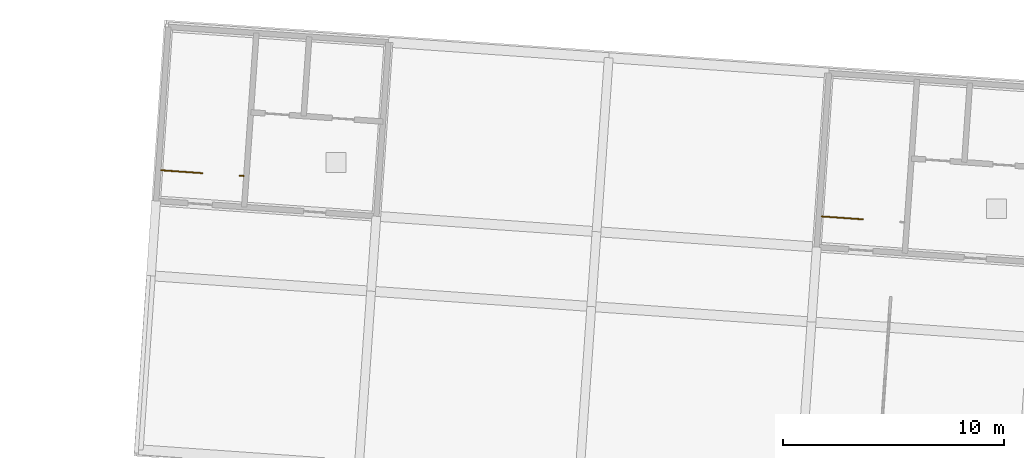
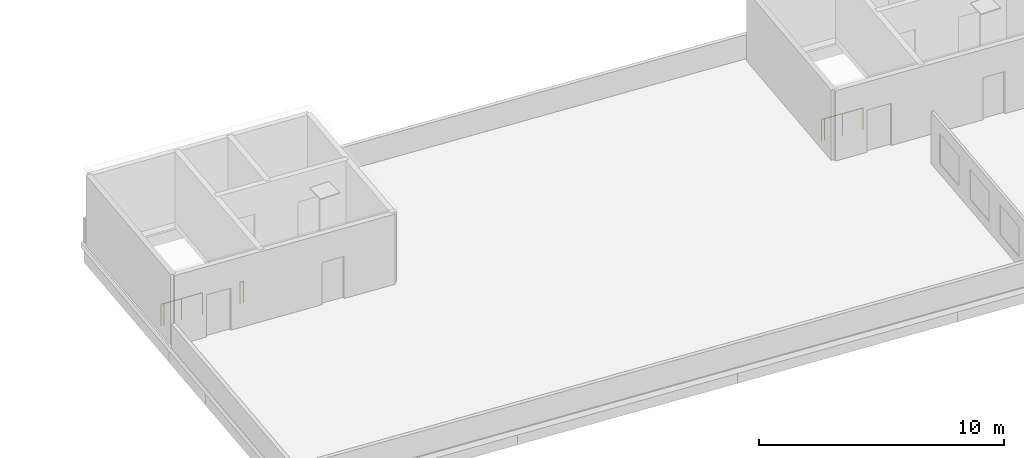
# One storey, part 109 of 110: 5 railings.
"""IFC4 building model written with IfcOpenShell, lengths in metres."""

from ifc_helpers import new_model, si_unit, direction, frame, origin, origin_2d, place, context, subcontext, project, spatial, circle, extrude, material, type_object, element, save


model = new_model("IFC4")

# Units and contexts
model_context = context("Model", 3, precision=1e-05, world=origin(), true_north=direction((0.0, 1.0)))
body_context = subcontext(model_context, "Body", "Model", "MODEL_VIEW")
ifc_project = project(units=[si_unit("LENGTHUNIT", "METRE"), si_unit("AREAUNIT", "SQUARE_METRE"), si_unit("VOLUMEUNIT", "CUBIC_METRE"), si_unit("PLANEANGLEUNIT", "RADIAN"), si_unit("MASSUNIT", "GRAM", prefix="KILO")], contexts=[model_context])

# Site, building, storey
site_placement = place(None, origin())
site = spatial("IfcSite", under=ifc_project, at=site_placement, CompositionType="ELEMENT")
building_placement = place(site_placement, origin())
building = spatial("IfcBuilding", under=site, at=building_placement, Name="Windward Yard Aquatics Centre", CompositionType="ELEMENT")
storey_placement = place(building_placement, frame((0.0, 0.0, 22.60009765625)))
storey = spatial("IfcBuildingStorey", under=building, at=storey_placement, Name="L05", CompositionType="ELEMENT", Elevation=22.60009765625)

# Railings
ifc_material = material(Name="Stainless steel 1.4529", Category="steel")
railing_type = type_object("IfcRailingType", Name="W guard 1100", PredefinedType="GUARDRAIL", material=ifc_material)
railing_1_placement = place(storey_placement, frame((118.849609375, 128.827880859375, 0.0)))
element("IfcRailing", 1, at=railing_1_placement, inside=storey, type_object=railing_type, Name="W.GS.W.L05.1", PredefinedType="GUARDRAIL", context=body_context, shape_type="SweptSolid", body=[
    extrude(circle(Radius=0.02392578125, at=origin_2d()), frame((0.0, 0.0, 1.076171875), z_axis=(0.997517922262, -0.070413029807, 0.0), x_axis=(0.070413029807, 0.997517922262, 0.0)), (0.0, 0.0, 1.0), 0.124755859375),
    extrude(circle(Radius=0.02099609375, at=origin_2d()), origin(), (0.0, 0.0, 1.0), 1.052001953125),
    extrude(circle(Radius=0.02099609375, at=origin_2d()), frame((0.12451171875, -0.0087890625, 0.0)), (0.0, 0.0, 1.0), 1.052001953125),
])
railing_2_placement = place(storey_placement, frame((122.415771484375, 128.57861328125, 0.0)))
element("IfcRailing", 2, at=railing_2_placement, inside=storey, type_object=railing_type, Name="W.GS.W.L05.2", PredefinedType="GUARDRAIL", context=body_context, shape_type="SweptSolid", body=[
    extrude(circle(Radius=0.02392578125, at=origin_2d()), frame((0.0, 0.0, 1.076171875), z_axis=(0.997563824095, -0.069759707979, 0.0), x_axis=(0.069759707979, 0.997563824095, 0.0)), (0.0, 0.0, 1.0), 0.175048828125),
    extrude(circle(Radius=0.02099609375, at=origin_2d()), origin(), (0.0, 0.0, 1.0), 1.052001953125),
    extrude(circle(Radius=0.02099609375, at=origin_2d()), frame((0.174560546875, -0.01220703125, 0.0)), (0.0, 0.0, 1.0), 1.052001953125),
])
railing_3_placement = place(storey_placement, frame((118.849609375, 128.827880859375, 0.0)))
element("IfcRailing", 3, at=railing_3_placement, inside=storey, type_object=railing_type, Name="W.GR.W.ROOF", PredefinedType="GUARDRAIL", context=body_context, shape_type="SweptSolid", body=[
    extrude(circle(Radius=0.02392578125, at=origin_2d()), frame((0.0, 0.0, 1.076171875), z_axis=(0.997561415553, -0.069794141592, 0.0), x_axis=(0.069794141592, 0.997561415553, 0.0)), (0.0, 0.0, 1.0), 1.875),
    extrude(circle(Radius=0.02099609375, at=origin_2d()), origin(), (0.0, 0.0, 1.0), 1.052001953125),
    extrude(circle(Radius=0.02099609375, at=origin_2d()), frame((0.93505859375, -0.0654296875, 0.0)), (0.0, 0.0, 1.0), 1.052001953125),
    extrude(circle(Radius=0.02099609375, at=origin_2d()), frame((1.870361328125, -0.130859375, 0.0)), (0.0, 0.0, 1.0), 1.052001953125),
])
railing_4_placement = place(storey_placement, frame((148.7763671875, 126.735107421875, 0.0)))
element("IfcRailing", 4, at=railing_4_placement, inside=storey, type_object=railing_type, Name="W.GS.E.L05.1", PredefinedType="GUARDRAIL", context=body_context, shape_type="SweptSolid", body=[
    extrude(circle(Radius=0.02392578125, at=origin_2d()), frame((0.0, 0.0, 1.076171875), z_axis=(0.997662565173, -0.068333052409, 0.0), x_axis=(0.068333052409, 0.997662565173, 0.0)), (0.0, 0.0, 1.0), 0.125),
    extrude(circle(Radius=0.02099609375, at=origin_2d()), origin(), (0.0, 0.0, 1.0), 1.052001953125),
    extrude(circle(Radius=0.02099609375, at=origin_2d()), frame((0.124755859375, -0.008544921875, 0.0)), (0.0, 0.0, 1.0), 1.052001953125),
])
railing_5_placement = place(storey_placement, frame((148.7763671875, 126.735107421875, 0.0)))
element("IfcRailing", 5, at=railing_5_placement, inside=storey, type_object=railing_type, Name="W.GR.E.ROOF", PredefinedType="GUARDRAIL", context=body_context, shape_type="SweptSolid", body=[
    extrude(circle(Radius=0.02392578125, at=origin_2d()), frame((0.0, 0.0, 1.076171875), z_axis=(0.997570473158, -0.069664561172, 0.0), x_axis=(0.069664561172, 0.997570473158, 0.0)), (0.0, 0.0, 1.0), 1.875),
    extrude(circle(Radius=0.02099609375, at=origin_2d()), origin(), (0.0, 0.0, 1.0), 1.052001953125),
    extrude(circle(Radius=0.02099609375, at=origin_2d()), frame((0.93505859375, -0.0654296875, 0.0)), (0.0, 0.0, 1.0), 1.052001953125),
    extrude(circle(Radius=0.02099609375, at=origin_2d()), frame((1.870361328125, -0.130615234375, 0.0)), (0.0, 0.0, 1.0), 1.052001953125),
])

save(model, "model.ifc")
